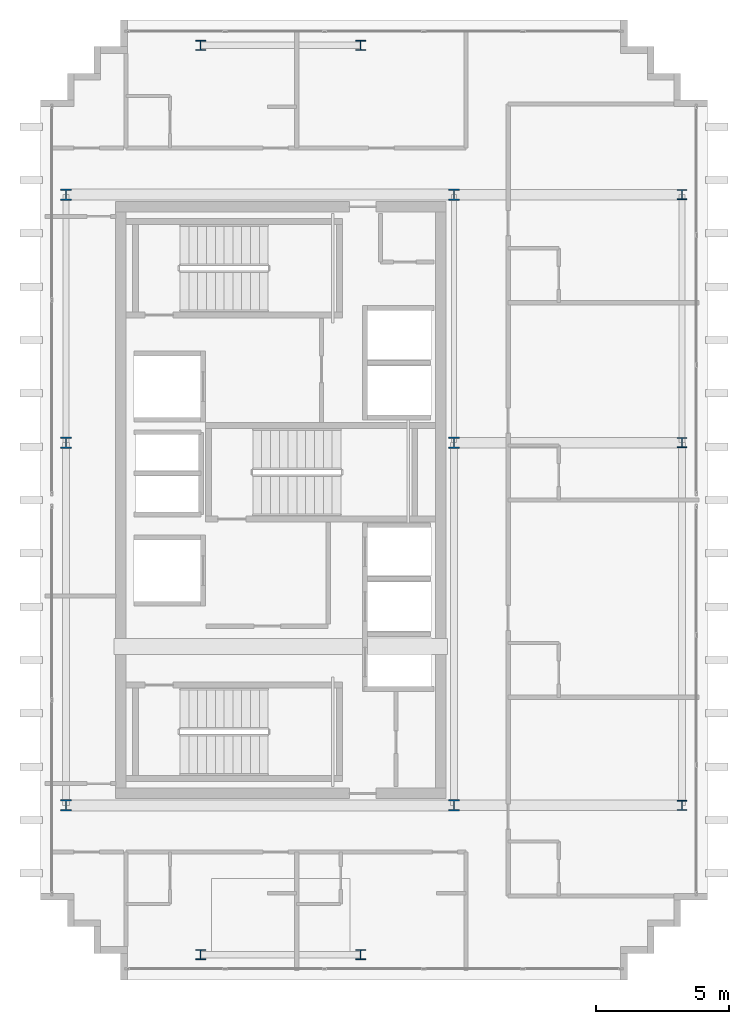
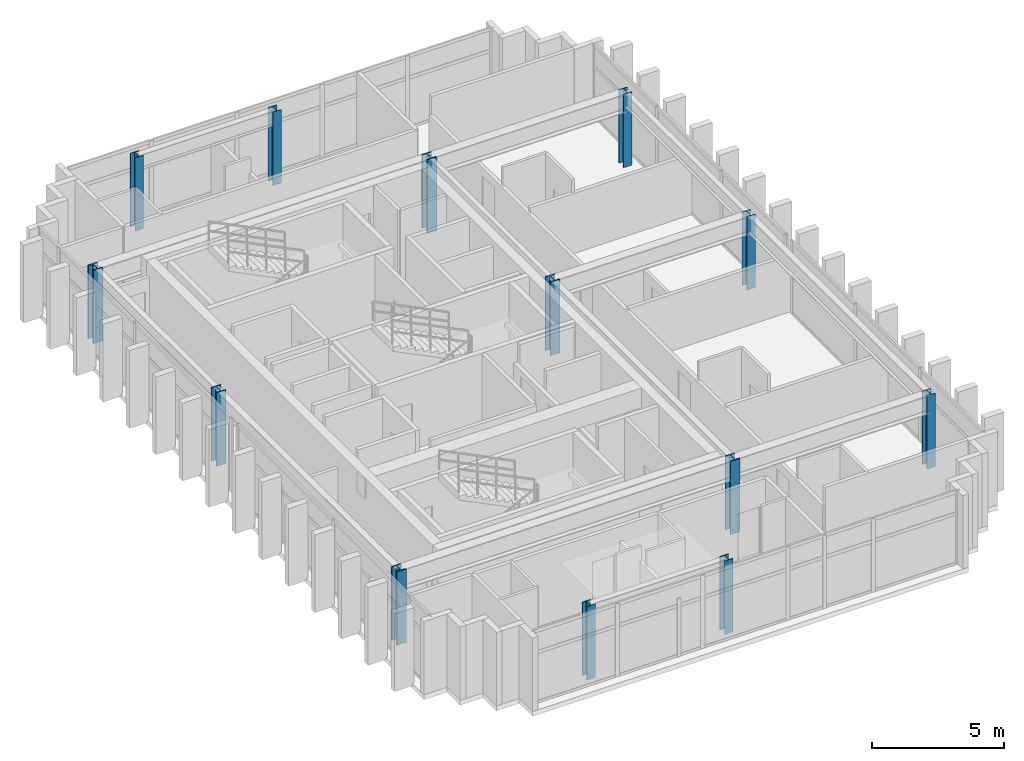
# One storey, part 1 of 15: 13 columns.
"""IFC4 building model written with IfcOpenShell, lengths in metres."""

from ifc_helpers import new_model, si_unit, direction, frame, origin, origin_2d, place, context, subcontext, project, spatial, i_section, extrude, source, transform, mapped, material, material_profile, profile_set, type_object, element, save


model = new_model("IFC4")

# Units and contexts
model_context = context("Model", 3, precision=1e-05, world=origin(), true_north=direction((0.0, 1.0)))
body_context = subcontext(model_context, "Body", "Model", "MODEL_VIEW")
ifc_project = project(units=[si_unit("LENGTHUNIT", "METRE"), si_unit("AREAUNIT", "SQUARE_METRE"), si_unit("VOLUMEUNIT", "CUBIC_METRE"), si_unit("PLANEANGLEUNIT", "RADIAN"), si_unit("MASSUNIT", "GRAM", prefix="KILO")], contexts=[model_context])

# Site, building, storey
site_placement = place(None, origin())
site = spatial("IfcSite", under=ifc_project, at=site_placement, CompositionType="ELEMENT")
building_placement = place(site_placement, origin())
building = spatial("IfcBuilding", under=site, at=building_placement, Name="Ocotamira Hotel", CompositionType="ELEMENT")
storey_placement = place(building_placement, frame((0.0, 0.0, 283.199951171875)))
storey = spatial("IfcBuildingStorey", under=building, at=storey_placement, Name="L72", CompositionType="ELEMENT", Elevation=283.199951171875)

# Columns
ifc_material_1 = material(Name="Steel ASTM A913 Grade 65", Category="steel")
ifc_material_profile_1 = material_profile(ifc_material_1, i_section(OverallWidth=0.412109375, OverallDepth=0.43505859375, WebThickness=0.035888671875, FlangeThickness=0.057373046875, FilletRadius=0.02490234375, at=origin_2d()), Name="W14X311")
ifc_profile_set_1 = profile_set([ifc_material_profile_1], Name="Steel ASTM A913 Grade 65")
column_type_1 = type_object("IfcColumnType", Name="COL-W14X311", PredefinedType="COLUMN", material=ifc_profile_set_1)
shared_shape_1 = source(origin(), body_context, "Body", "SweptSolid", [
    extrude(i_section(OverallWidth=0.412109375, OverallDepth=0.43505859375, WebThickness=0.035888671875, FlangeThickness=0.057373046875, FilletRadius=0.02490234375, at=origin_2d()), origin(), (0.0, 0.0, 1.0), 3.380126953125),
])
for number, where, z_axis, x_axis, name in (
    (1, (8.949951171875, 14.550048828125, 0.0), (0.0, 0.0, 1.0), (1.0, 0.0, 0.0), "L72 Column TW8_14"),
    (2, (23.5, 14.550048828125, 0.0), (0.0, 0.0, 1.0), (1.0, 0.0, 0.0), "L72 Column TW23_14"),
    (3, (8.949951171875, 28.14990234375, 0.0), (0.0, 0.0, 1.0), (1.0, 0.0, 0.0), "L72 Column TW8_28"),
    (4, (23.5, 28.14990234375, 0.0), (0.0, 0.0, 1.0), (1.0, 0.0, 0.0), "L72 Column TW23_28"),
    (5, (8.949951171875, 37.449951171875, 0.0), (0.0, 0.0, 1.0), (1.0, 0.0, 0.0), "L72 Column TW8_37"),
    (6, (23.5, 37.449951171875, 0.0), (0.0, 0.0, 1.0), (1.0, 0.0, 0.0), "L72 Column TW23_37"),
):
    element("IfcColumn", number, at=place(storey_placement, frame(where, z_axis=z_axis, x_axis=x_axis)), inside=storey, type_object=column_type_1, Name=name, PredefinedType="COLUMN", context=body_context, shape_type="MappedRepresentation", body=[
        mapped(shared_shape_1, transform((0.0, 0.0, 0.0), scale=1.0)),
    ])
ifc_material_2 = material(Name="Steel ASTM A992 Grade 50", Category="steel")
ifc_material_profile_2 = material_profile(ifc_material_2, i_section(OverallWidth=0.3740234375, OverallDepth=0.373046875, WebThickness=0.016357421875, FlangeThickness=0.026123046875, FilletRadius=0.02490234375, at=origin_2d()), Name="W14X132")
ifc_profile_set_2 = profile_set([ifc_material_profile_2], Name="Steel ASTM A992 Grade 50")
column_type_2 = type_object("IfcColumnType", Name="COL-W14X132", PredefinedType="COLUMN", material=ifc_profile_set_2)
shared_shape_2 = source(origin(), body_context, "Body", "SweptSolid", [
    extrude(i_section(OverallWidth=0.3740234375, OverallDepth=0.373046875, WebThickness=0.016357421875, FlangeThickness=0.026123046875, FilletRadius=0.02490234375, at=origin_2d()), origin(), (0.0, 0.0, 1.0), 3.380126953125),
])
for number, where, z_axis, x_axis, name in (
    (7, (14.0, 8.949951171875, 0.0), (0.0, 0.0, 1.0), (1.0, 0.0, 0.0), "L72 Column NSP1_14"),
    (8, (20.0, 8.949951171875, 0.0), (0.0, 0.0, 1.0), (1.0, 0.0, 0.0), "L72 Column NSP1_20"),
    (9, (14.0, 43.050048828125, 0.0), (0.0, 0.0, 1.0), (1.0, 0.0, 0.0), "L72 Column NSP2_14"),
    (10, (20.0, 43.050048828125, 0.0), (0.0, 0.0, 1.0), (1.0, 0.0, 0.0), "L72 Column NSP2_20"),
    (11, (32.050048828125, 14.550048828125, 0.0), (0.0, 0.0, 1.0), (1.0, 0.0, 0.0), "L72 Column WPE32_14"),
    (12, (32.050048828125, 28.14990234375, 0.0), (0.0, 0.0, 1.0), (1.0, 0.0, 0.0), "L72 Column WPE32_28"),
    (13, (32.050048828125, 37.449951171875, 0.0), (0.0, 0.0, 1.0), (1.0, 0.0, 0.0), "L72 Column WPE32_37"),
):
    element("IfcColumn", number, at=place(storey_placement, frame(where, z_axis=z_axis, x_axis=x_axis)), inside=storey, type_object=column_type_2, Name=name, PredefinedType="COLUMN", context=body_context, shape_type="MappedRepresentation", body=[
        mapped(shared_shape_2, transform((0.0, 0.0, 0.0), scale=1.0)),
    ])

save(model, "model.ifc")
